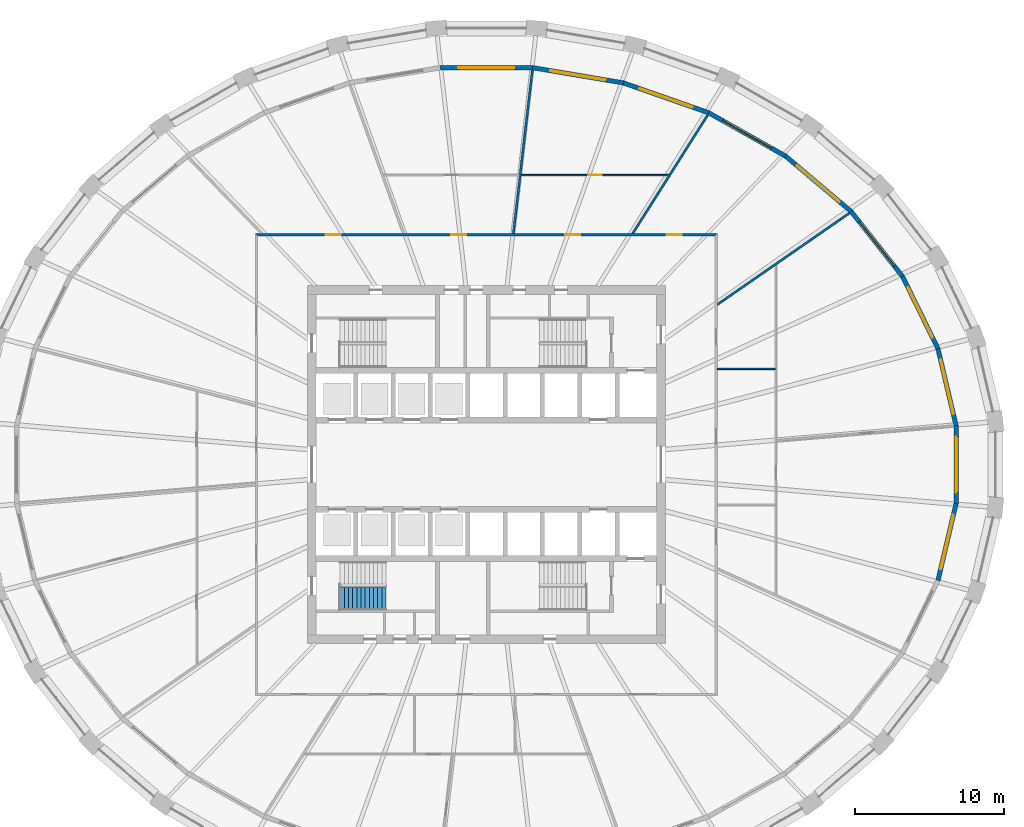
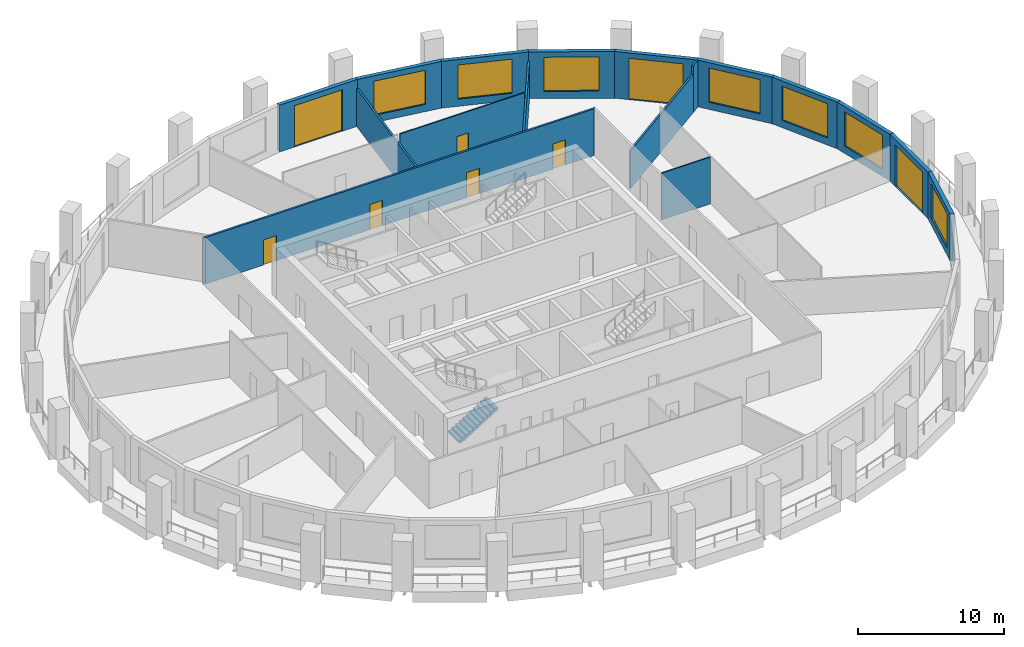
# One storey, part 7 of 11: 18 walls, 8 doors, 7 windows, 1 stair flight, 15 openings, 1 element without a shape of its own.
"""IFC4 building model written with IfcOpenShell, lengths in metres."""

from ifc_helpers import new_model, si_unit, direction, frame, frame_2d, origin, place, context, subcontext, project, spatial, polyline, rectangle, outline, extrude, material, layer, layer_set, type_object, element, fill, aggregate, save


model = new_model("IFC4")

# Units and contexts
model_context = context("Model", 3, precision=1e-05, world=origin(), true_north=direction((0.0, 1.0)))
body_context = subcontext(model_context, "Body", "Model", "MODEL_VIEW")
ifc_project = project(units=[si_unit("LENGTHUNIT", "METRE"), si_unit("AREAUNIT", "SQUARE_METRE"), si_unit("VOLUMEUNIT", "CUBIC_METRE"), si_unit("PLANEANGLEUNIT", "RADIAN"), si_unit("MASSUNIT", "GRAM", prefix="KILO")], contexts=[model_context])

# Site, building, storey
site_placement = place(None, origin())
site = spatial("IfcSite", under=ifc_project, at=site_placement, CompositionType="ELEMENT")
building_placement = place(site_placement, origin())
building = spatial("IfcBuilding", under=site, at=building_placement, Name="Halqa Exchange Tower", CompositionType="ELEMENT")
storey_placement = place(building_placement, frame((0.0, 0.0, 142.300048828125)))
storey = spatial("IfcBuildingStorey", under=building, at=storey_placement, Name="L32", CompositionType="ELEMENT", Elevation=142.300048828125)

# Wall, openings, doors
ifc_material_1 = material(Name="Fire-rated gypsum board")
ifc_layer_1 = layer(ifc_material_1, 0.14990234375)
ifc_layer_set_1 = layer_set([ifc_layer_1], Name="Fire-rated gypsum board")
wall_type_1 = type_object("IfcWallType", Name="Fire partition EI 60 150", PredefinedType="PARTITIONING", material=ifc_layer_set_1)
wall_1_placement = place(storey_placement, frame((-15.47509765625, 15.39990234375, 0.0), z_axis=(0.0, 0.0, 1.0), x_axis=(1.0, 0.0, 0.0)))
wall_1 = element("IfcWall", 1, at=wall_1_placement, inside=storey, type_object=wall_type_1, Name="L32-PWL-009", PredefinedType="PARTITIONING", context=body_context, shape_type="SweptSolid", body=[
    extrude(outline(polyline([(0.150146484375, -0.074951171875), (2.065673828125, -0.074951171875), (3.9814453125, -0.074951171875), (5.89697265625, -0.074951171875), (7.8125, -0.074951171875), (9.728271484375, -0.074951171875), (11.643798828125, -0.074951171875), (13.5595703125, -0.074951171875), (15.47509765625, -0.074951171875), (17.390625, -0.074951171875), (19.306396484375, -0.074951171875), (21.221923828125, -0.074951171875), (23.1376953125, -0.074951171875), (25.05322265625, -0.074951171875), (26.96875, -0.074951171875), (28.884521484375, -0.074951171875), (30.800048828125, -0.074951171875), (30.949951171875, 0.074951171875), (29.015625, 0.074951171875), (27.081298828125, 0.074951171875), (25.14697265625, 0.074951171875), (23.21240234375, 0.074951171875), (21.278076171875, 0.074951171875), (19.34375, 0.074951171875), (17.409423828125, 0.074951171875), (15.47509765625, 0.074951171875), (13.540771484375, 0.074951171875), (11.6064453125, 0.074951171875), (9.672119140625, 0.074951171875), (7.73779296875, 0.074951171875), (5.80322265625, 0.074951171875), (3.868896484375, 0.074951171875), (1.9345703125, 0.074951171875), (0.000244140625, 0.074951171875), (0.150146484375, -0.074951171875)])), origin(), (0.0, 0.0, 1.0), 3.89990234375),
])
opening_1_placement = place(wall_1_placement, frame((27.550048828125, 0.0, 0.0)))
opening_1 = element("IfcOpeningElement", 2, at=opening_1_placement, cuts=wall_1, Name="Opening 10-04", PredefinedType="OPENING", context=body_context, shape_type="SweptSolid", body=[
    extrude(rectangle(XDim=1.0, YDim=2.10009765625, at=frame_2d((0.5, 1.050048828125))), frame((0.0, 0.0869140625, 0.0), z_axis=(0.0, -1.0, 0.0), x_axis=(1.0, 0.0, 0.0)), (0.0, 0.0, 1.0), 0.173828125),
])
opening_2_placement = place(wall_1_placement, frame((20.75, 0.0, 0.0)))
opening_2 = element("IfcOpeningElement", 3, at=opening_2_placement, cuts=wall_1, Name="Opening 10-05", PredefinedType="OPENING", context=body_context, shape_type="SweptSolid", body=[
    extrude(rectangle(XDim=1.0, YDim=2.10009765625, at=frame_2d((0.5, 1.050048828125))), frame((0.0, 0.0869140625, 0.0), z_axis=(0.0, -1.0, 0.0), x_axis=(1.0, 0.0, 0.0)), (0.0, 0.0, 1.0), 0.173828125),
])
opening_3_placement = place(wall_1_placement, frame((13.110107421875, 0.0, 0.0)))
opening_3 = element("IfcOpeningElement", 4, at=opening_3_placement, cuts=wall_1, Name="Opening 10-06", PredefinedType="OPENING", context=body_context, shape_type="SweptSolid", body=[
    extrude(rectangle(XDim=1.0, YDim=2.10009765625, at=frame_2d((0.5, 1.050048828125))), frame((0.0, 0.0869140625, 0.0), z_axis=(0.0, -1.0, 0.0), x_axis=(1.0, 0.0, 0.0)), (0.0, 0.0, 1.0), 0.173828125),
])
opening_4_placement = place(wall_1_placement, frame((4.72509765625, 0.0, 0.0)))
opening_4 = element("IfcOpeningElement", 5, at=opening_4_placement, cuts=wall_1, Name="Opening 10-07", PredefinedType="OPENING", context=body_context, shape_type="SweptSolid", body=[
    extrude(rectangle(XDim=1.0, YDim=2.10009765625, at=frame_2d((0.5, 1.050048828125))), frame((0.0, 0.0869140625, 0.0), z_axis=(0.0, -1.0, 0.0), x_axis=(1.0, 0.0, 0.0)), (0.0, 0.0, 1.0), 0.173828125),
])
ifc_material_2 = material(Name="Steel fire door leaf", Category="steel")
door_type_1 = type_object("IfcDoorType", Name="Fire door FD30S 1000 x 2100", OperationType="SINGLE_SWING_LEFT", PredefinedType="DOOR", material=ifc_material_2)
door_1_placement = place(opening_1_placement, origin())
door_1 = element("IfcDoor", 6, at=door_1_placement, inside=storey, type_object=door_type_1, Name="L32-IDR-004", OperationType="SINGLE_SWING_RIGHT", OverallHeight=2.10009765625, OverallWidth=1.0, PredefinedType="DOOR", context=body_context, shape_type="SweptSolid", body=[
    extrude(rectangle(XDim=1.0, YDim=2.10009765625, at=frame_2d((0.5, 1.050048828125))), frame((0.0, 0.02490234375, 0.0), z_axis=(0.0, -1.0, 0.0), x_axis=(1.0, 0.0, 0.0)), (0.0, 0.0, 1.0), 0.050048828125),
])
fill(opening_1, door_1)
door_2_placement = place(opening_2_placement, origin())
door_2 = element("IfcDoor", 7, at=door_2_placement, inside=storey, type_object=door_type_1, Name="L32-IDR-005", OperationType="SINGLE_SWING_LEFT", OverallHeight=2.10009765625, OverallWidth=1.0, PredefinedType="DOOR", context=body_context, shape_type="SweptSolid", body=[
    extrude(rectangle(XDim=1.0, YDim=2.10009765625, at=frame_2d((0.5, 1.050048828125))), frame((0.0, 0.02490234375, 0.0), z_axis=(0.0, -1.0, 0.0), x_axis=(1.0, 0.0, 0.0)), (0.0, 0.0, 1.0), 0.050048828125),
])
fill(opening_2, door_2)
door_3_placement = place(opening_3_placement, origin())
door_3 = element("IfcDoor", 8, at=door_3_placement, inside=storey, type_object=door_type_1, Name="L32-IDR-006", OperationType="SINGLE_SWING_LEFT", OverallHeight=2.10009765625, OverallWidth=1.0, PredefinedType="DOOR", context=body_context, shape_type="SweptSolid", body=[
    extrude(rectangle(XDim=1.0, YDim=2.10009765625, at=frame_2d((0.5, 1.050048828125))), frame((0.0, 0.02490234375, 0.0), z_axis=(0.0, -1.0, 0.0), x_axis=(1.0, 0.0, 0.0)), (0.0, 0.0, 1.0), 0.050048828125),
])
fill(opening_3, door_3)
door_4_placement = place(opening_4_placement, origin())
door_4 = element("IfcDoor", 9, at=door_4_placement, inside=storey, type_object=door_type_1, Name="L32-IDR-007", OperationType="SINGLE_SWING_LEFT", OverallHeight=2.10009765625, OverallWidth=1.0, PredefinedType="DOOR", context=body_context, shape_type="SweptSolid", body=[
    extrude(rectangle(XDim=1.0, YDim=2.10009765625, at=frame_2d((0.5, 1.050048828125))), frame((0.0, 0.02490234375, 0.0), z_axis=(0.0, -1.0, 0.0), x_axis=(1.0, 0.0, 0.0)), (0.0, 0.0, 1.0), 0.050048828125),
])
fill(opening_4, door_4)

# Walls
wall_2_placement = place(storey_placement, frame((1.807861328125, 15.466552734375, 0.0), z_axis=(0.0, 0.0, 1.0), x_axis=(0.116696736795, 0.993167594931, 0.0)))
element("IfcWall", 10, at=wall_2_placement, inside=storey, type_object=wall_type_1, Name="L32-PWL-017", PredefinedType="PARTITIONING", context=body_context, shape_type="SweptSolid", body=[
    extrude(outline(polyline([(0.017333984375, -0.074951171875), (2.012451171875, -0.074951171875), (4.0078125, -0.074951171875), (4.018798828125, -0.07373046875), (4.018798828125, 0.074951171875), (3.998291015625, 0.074951171875), (3.902587890625, 0.063720703125), (3.9013671875, 0.074951171875), (1.95068359375, 0.074951171875), (0.0, 0.074951171875), (0.0, 0.072265625), (0.017333984375, -0.074951171875)])), origin(), (0.0, 0.0, 1.0), 3.14697265625),
])
wall_3_placement = place(storey_placement, frame((2.264892578125, 19.441650390625, 0.0), z_axis=(0.0, 0.0, 1.0), x_axis=(0.116372597522, 0.993205627524, 0.0)))
element("IfcWall", 11, at=wall_3_placement, inside=storey, type_object=wall_type_1, Name="L32-PWL-019", PredefinedType="PARTITIONING", context=body_context, shape_type="SweptSolid", body=[
    extrude(outline(polyline([(7.042724609375, -0.074951171875), (7.042724609375, 0.034912109375), (7.0380859375, 0.074951171875), (5.278564453125, 0.074951171875), (3.51904296875, 0.074951171875), (1.759521484375, 0.074951171875), (0.0, 0.074951171875), (0.0, 0.07177734375), (0.000732421875, 0.0654296875), (0.0, 0.0654296875), (0.0, 0.065185546875), (0.017822265625, 0.065185546875), (0.017822265625, -0.074951171875), (1.77392578125, -0.074951171875), (3.5302734375, -0.074951171875), (5.286376953125, -0.074951171875), (7.042724609375, -0.074951171875)])), origin(), (0.0, 0.0, 1.0), 3.14697265625),
])
wall_4_placement = place(storey_placement, frame((9.772216796875, 15.43505859375, 0.0), z_axis=(0.0, 0.0, 1.0), x_axis=(0.535018864906, 0.844840111616, 0.0)))
element("IfcWall", 12, at=wall_4_placement, inside=storey, type_object=wall_type_1, Name="L32-PWL-022", PredefinedType="PARTITIONING", context=body_context, shape_type="SweptSolid", body=[
    extrude(outline(polyline([(9.442626953125, 0.074951171875), (7.863037109375, 0.074951171875), (6.283447265625, 0.074951171875), (4.703857421875, 0.074951171875), (4.6201171875, 0.02197265625), (4.58642578125, 0.074951171875), (3.0576171875, 0.074951171875), (1.52880859375, 0.074951171875), (0.0, 0.074951171875), (0.0, 0.07470703125), (0.0947265625, -0.074951171875), (1.96435546875, -0.074951171875), (3.833984375, -0.074951171875), (5.703369140625, -0.074951171875), (7.572998046875, -0.074951171875), (9.442626953125, -0.074951171875), (9.442626953125, 0.074951171875)])), origin(), (0.0, 0.0, 1.0), 3.14697265625),
])
wall_5_placement = place(storey_placement, frame((15.4326171875, 10.6923828125, 0.0), z_axis=(0.0, 0.0, 1.0), x_axis=(0.822113566053, 0.569323532372, 0.0)))
element("IfcWall", 13, at=wall_5_placement, inside=storey, type_object=wall_type_1, Name="L32-PWL-027", PredefinedType="PARTITIONING", context=body_context, shape_type="SweptSolid", body=[
    extrude(outline(polyline([(0.0, -0.074951171875), (1.571044921875, -0.074951171875), (3.14208984375, -0.074951171875), (4.713134765625, -0.074951171875), (4.715087890625, -0.072021484375), (4.71923828125, -0.074951171875), (6.5, -0.074951171875), (8.28076171875, -0.074951171875), (10.0615234375, -0.074951171875), (10.0615234375, 0.074951171875), (8.06982421875, 0.074951171875), (6.078369140625, 0.074951171875), (4.086669921875, 0.074951171875), (2.094970703125, 0.074951171875), (0.103515625, 0.074951171875), (0.0, -0.074462890625), (0.0, -0.074951171875)])), origin(), (0.0, 0.0, 1.0), 3.14697265625),
])
wall_6_placement = place(storey_placement, frame((23.704345703125, 16.420654296875, 0.0), z_axis=(0.0, 0.0, 1.0), x_axis=(0.822076434515, 0.569377147253, 0.0)))
element("IfcWall", 14, at=wall_6_placement, inside=storey, type_object=wall_type_1, Name="L32-PWL-031", PredefinedType="PARTITIONING", context=body_context, shape_type="SweptSolid", body=[
    extrude(outline(polyline([(0.75927734375, -0.074951171875), (0.75927734375, -0.0693359375), (0.75439453125, 0.005615234375), (0.73583984375, 0.074951171875), (0.0, 0.074951171875), (0.0, -0.074951171875), (0.75927734375, -0.074951171875)])), origin(), (0.0, 0.0, 1.0), 3.89990234375),
])

# Wall, opening, door
ifc_material_3 = material(Name="Gypsum board")
ifc_layer_2 = layer(ifc_material_3, 0.10009765625)
ifc_layer_set_2 = layer_set([ifc_layer_2], Name="Gypsum board")
wall_type_2 = type_object("IfcWallType", Name="Partition 100 gypsum", PredefinedType="PARTITIONING", material=ifc_layer_set_2)
wall_7_placement = place(storey_placement, frame((2.340087890625, 19.39990234375, 0.0), z_axis=(0.0, 0.0, 1.0), x_axis=(1.0, 0.0, 0.0)))
wall_7 = element("IfcWall", 15, at=wall_7_placement, inside=storey, type_object=wall_type_2, Name="L32-PWL-020", PredefinedType="PARTITIONING", context=body_context, shape_type="SweptSolid", body=[
    extrude(outline(polyline([(0.0, -0.050048828125), (1.964599609375, -0.050048828125), (3.928955078125, -0.050048828125), (5.8935546875, -0.050048828125), (7.858154296875, -0.050048828125), (9.822509765625, -0.050048828125), (9.885498046875, 0.04931640625), (9.885498046875, 0.050048828125), (7.90966796875, 0.050048828125), (5.93359375, 0.050048828125), (3.957763671875, 0.050048828125), (1.981689453125, 0.050048828125), (0.005859375, 0.050048828125), (0.01123046875, 0.04931640625), (0.0, -0.0458984375), (0.0, -0.050048828125)])), origin(), (0.0, 0.0, 1.0), 3.89990234375),
])
opening_5_placement = place(wall_7_placement, frame((4.485107421875, 0.0, 0.0)))
opening_5 = element("IfcOpeningElement", 16, at=opening_5_placement, cuts=wall_7, Name="Opening 10-18", PredefinedType="OPENING", context=body_context, shape_type="SweptSolid", body=[
    extrude(rectangle(XDim=0.89990234375, YDim=2.10009765625, at=frame_2d((0.449951171875, 1.050048828125))), frame((0.0, 0.06201171875, 0.0), z_axis=(0.0, -1.0, 0.0), x_axis=(1.0, 0.0, 0.0)), (0.0, 0.0, 1.0), 0.1240234375),
])
ifc_material_4 = material(Name="Timber door leaf", Category="wood")
door_type_2 = type_object("IfcDoorType", Name="Door 900 x 2100", OperationType="SINGLE_SWING_LEFT", PredefinedType="DOOR", material=ifc_material_4)
door_5_placement = place(opening_5_placement, frame((0.89990234375, 0.0, 0.0), z_axis=(0.0, 0.0, 1.0), x_axis=(-1.0, 0.0, 0.0)))
door_5 = element("IfcDoor", 17, at=door_5_placement, inside=storey, type_object=door_type_2, Name="L32-IDR-018", OperationType="SINGLE_SWING_RIGHT", OverallHeight=2.10009765625, OverallWidth=0.89990234375, PredefinedType="DOOR", context=body_context, shape_type="SweptSolid", body=[
    extrude(rectangle(XDim=0.89990234375, YDim=2.10009765625, at=frame_2d((0.449951171875, 1.050048828125))), frame((0.0, 0.02490234375, 0.0), z_axis=(0.0, -1.0, 0.0), x_axis=(1.0, 0.0, 0.0)), (0.0, 0.0, 1.0), 0.050048828125),
])
fill(opening_5, door_5)

# Wall
wall_8_placement = place(storey_placement, frame((15.47509765625, 6.419921875, 0.0), z_axis=(0.0, 0.0, 1.0), x_axis=(1.0, 0.0, 0.0)))
element("IfcWall", 18, at=wall_8_placement, inside=storey, type_object=wall_type_2, Name="L32-PWL-026", PredefinedType="PARTITIONING", context=body_context, shape_type="SweptSolid", body=[
    extrude(rectangle(XDim=3.875, YDim=0.10009765625, at=frame_2d((1.9375, 0.0))), origin(), (0.0, 0.0, 1.0), 3.89990234375),
])

# Wall, opening, window
ifc_material_5 = material(Name="Limestone cladding", Category="masonry")
ifc_layer_3 = layer(ifc_material_5, 0.0400390625)
ifc_material_6 = material(Name="Ventilated cavity")
ifc_layer_4 = layer(ifc_material_6, 0.030029296875, ventilated=True)
ifc_material_7 = material(Name="Mineral wool insulation")
ifc_layer_5 = layer(ifc_material_7, 0.10009765625)
ifc_material_8 = material(Name="Concrete C30/37", Category="concrete")
ifc_layer_6 = layer(ifc_material_8, 0.10009765625)
ifc_material_9 = material(Name="Internal plaster")
ifc_layer_7 = layer(ifc_material_9, 0.030029296875)
ifc_layer_set_3 = layer_set([ifc_layer_3, ifc_layer_4, ifc_layer_5, ifc_layer_6, ifc_layer_7], Name="Stone-faced insulated wall 300")
wall_type_3 = type_object("IfcWallType", Name="Stone-faced insulated wall 300", PredefinedType="STANDARD", material=ifc_layer_set_3)
wall_9_placement = place(storey_placement, frame((31.461669921875, 2.62158203125, 0.0), z_axis=(0.0, 0.0, 1.0), x_axis=(-0.229289208312, 0.973358340464, 0.0)))
wall_9 = element("IfcWall", 19, at=wall_9_placement, inside=storey, type_object=wall_type_3, Name="Glass-line wall 1", PredefinedType="STANDARD", context=body_context, shape_type="SweptSolid", body=[
    extrude(outline(polyline([(-0.017333984375, -0.14990234375), (5.299072265625, -0.14990234375), (5.265380859375, 0.14990234375), (0.017333984375, 0.14990234375), (-0.017333984375, -0.14990234375)])), origin(), (0.0, 0.0, 1.0), 3.89990234375),
])
opening_6_placement = place(wall_9_placement, frame((0.76611328125, 0.0, 0.60009765625)))
opening_6 = element("IfcOpeningElement", 20, at=opening_6_placement, cuts=wall_9, Name="Opening W-F2-01", PredefinedType="OPENING", context=body_context, shape_type="SweptSolid", body=[
    extrude(rectangle(XDim=3.75, YDim=2.85009765625, at=frame_2d((1.875, 1.425048828125))), frame((0.0, 0.162109375, 0.0), z_axis=(0.0, -1.0, 0.0), x_axis=(1.0, 0.0, 0.0)), (0.0, 0.0, 1.0), 0.323974609375),
])
ifc_material_10 = material(Name="Clear low-emissivity glass in aluminium frame", Category="aluminium")
window_type = type_object("IfcWindowType", Name="Fixed clear glazed window 3750 x 2850", PartitioningType="TRIPLE_PANEL_VERTICAL", PredefinedType="WINDOW", material=ifc_material_10)
window_1_placement = place(opening_6_placement, origin())
window_1 = element("IfcWindow", 21, at=window_1_placement, inside=storey, type_object=window_type, Name="Window 2", OverallHeight=2.85009765625, OverallWidth=3.75, PartitioningType="TRIPLE_PANEL_VERTICAL", PredefinedType="WINDOW", context=body_context, shape_type="SweptSolid", body=[
    extrude(rectangle(XDim=3.75, YDim=2.85009765625, at=frame_2d((1.875, 1.425048828125))), frame((0.0, 0.030029296875, 0.0), z_axis=(0.0, -1.0, 0.0), x_axis=(1.0, 0.0, 0.0)), (0.0, 0.0, 1.0), 0.06005859375),
])
fill(opening_6, window_1)

wall_10_placement = place(storey_placement, frame((30.25048828125, 7.76318359375, 0.0), z_axis=(0.0, 0.0, 1.0), x_axis=(-0.440373354088, 0.897814740918, 0.0)))
wall_10 = element("IfcWall", 22, at=wall_10_placement, inside=storey, type_object=wall_type_3, Name="Glass-line wall 2", PredefinedType="STANDARD", context=body_context, shape_type="SweptSolid", body=[
    extrude(outline(polyline([(-0.016845703125, -0.14990234375), (5.40869140625, -0.14990234375), (5.37646484375, 0.14990234375), (0.016845703125, 0.14990234375), (-0.016845703125, -0.14990234375)])), origin(), (0.0, 0.0, 1.0), 3.89990234375),
])
opening_7_placement = place(wall_10_placement, frame((0.8212890625, 0.0, 0.60009765625)))
opening_7 = element("IfcOpeningElement", 23, at=opening_7_placement, cuts=wall_10, Name="Opening W-F2-02", PredefinedType="OPENING", context=body_context, shape_type="SweptSolid", body=[
    extrude(rectangle(XDim=3.75, YDim=2.85009765625, at=frame_2d((1.875, 1.425048828125))), frame((0.0, 0.162109375, 0.0), z_axis=(0.0, -1.0, 0.0), x_axis=(1.0, 0.0, 0.0)), (0.0, 0.0, 1.0), 0.323974609375),
])
window_2_placement = place(opening_7_placement, origin())
window_2 = element("IfcWindow", 24, at=window_2_placement, inside=storey, type_object=window_type, Name="Window 2", OverallHeight=2.85009765625, OverallWidth=3.75, PartitioningType="TRIPLE_PANEL_VERTICAL", PredefinedType="WINDOW", context=body_context, shape_type="SweptSolid", body=[
    extrude(rectangle(XDim=3.75, YDim=2.85009765625, at=frame_2d((1.875, 1.425048828125))), frame((0.0, 0.030029296875, 0.0), z_axis=(0.0, -1.0, 0.0), x_axis=(1.0, 0.0, 0.0)), (0.0, 0.0, 1.0), 0.06005859375),
])
fill(opening_7, window_2)

wall_11_placement = place(storey_placement, frame((27.875732421875, 12.604736328125, 0.0), z_axis=(0.0, 0.0, 1.0), x_axis=(-0.620520511988, 0.784190215574, 0.0)))
wall_11 = element("IfcWall", 25, at=wall_11_placement, inside=storey, type_object=wall_type_3, Name="Glass-line wall 3", PredefinedType="STANDARD", context=body_context, shape_type="SweptSolid", body=[
    extrude(outline(polyline([(-0.01611328125, -0.14990234375), (5.568603515625, -0.14990234375), (5.538330078125, 0.14990234375), (0.01611328125, 0.14990234375), (-0.01611328125, -0.14990234375)])), origin(), (0.0, 0.0, 1.0), 3.89990234375),
])
opening_8_placement = place(wall_11_placement, frame((0.901611328125, 0.0, 0.60009765625)))
opening_8 = element("IfcOpeningElement", 26, at=opening_8_placement, cuts=wall_11, Name="Opening W-F2-03", PredefinedType="OPENING", context=body_context, shape_type="SweptSolid", body=[
    extrude(rectangle(XDim=3.75, YDim=2.85009765625, at=frame_2d((1.875, 1.425048828125))), frame((0.0, 0.162109375, 0.0), z_axis=(0.0, -1.0, 0.0), x_axis=(1.0, 0.0, 0.0)), (0.0, 0.0, 1.0), 0.323974609375),
])
window_3_placement = place(opening_8_placement, origin())
window_3 = element("IfcWindow", 27, at=window_3_placement, inside=storey, type_object=window_type, Name="Window 2", OverallHeight=2.85009765625, OverallWidth=3.75, PartitioningType="TRIPLE_PANEL_VERTICAL", PredefinedType="WINDOW", context=body_context, shape_type="SweptSolid", body=[
    extrude(rectangle(XDim=3.75, YDim=2.85009765625, at=frame_2d((1.875, 1.425048828125))), frame((0.0, 0.030029296875, 0.0), z_axis=(0.0, -1.0, 0.0), x_axis=(1.0, 0.0, 0.0)), (0.0, 0.0, 1.0), 0.06005859375),
])
fill(opening_8, window_3)

# Wall, opening, door
wall_12_placement = place(storey_placement, frame((24.4296875, 16.959716796875, 0.0), z_axis=(0.0, 0.0, 1.0), x_axis=(-0.764047627809, 0.64515984255, 0.0)))
wall_12 = element("IfcWall", 28, at=wall_12_placement, inside=storey, type_object=wall_type_3, Name="Glass-line wall 4", PredefinedType="STANDARD", context=body_context, shape_type="SweptSolid", body=[
    extrude(outline(polyline([(-0.01513671875, -0.14990234375), (5.751708984375, -0.14990234375), (5.723388671875, 0.14990234375), (0.01513671875, 0.14990234375), (-0.01513671875, -0.14990234375)])), origin(), (0.0, 0.0, 1.0), 3.89990234375),
])
opening_9_placement = place(wall_12_placement, frame((0.99365234375, 0.0, 0.0)))
opening_9 = element("IfcOpeningElement", 29, at=opening_9_placement, cuts=wall_12, Name="Opening LG-F2-01", PredefinedType="OPENING", context=body_context, shape_type="SweptSolid", body=[
    extrude(rectangle(XDim=3.75, YDim=3.449951171875, at=frame_2d((1.875, 1.72509765625))), frame((0.0, 0.162109375, 0.0), z_axis=(0.0, -1.0, 0.0), x_axis=(1.0, 0.0, 0.0)), (0.0, 0.0, 1.0), 0.323974609375),
])
door_type_3 = type_object("IfcDoorType", Name="Glazed sliding loggia door 3750 x 3450", OperationType="DOUBLE_DOOR_SLIDING", PredefinedType="DOOR", material=ifc_material_10)
door_6_placement = place(opening_9_placement, origin())
door_6 = element("IfcDoor", 30, at=door_6_placement, inside=storey, type_object=door_type_3, Name="Loggia door 1", OperationType="DOUBLE_DOOR_SLIDING", OverallHeight=3.449951171875, OverallWidth=3.75, PredefinedType="DOOR", context=body_context, shape_type="SweptSolid", body=[
    extrude(rectangle(XDim=3.75, YDim=3.449951171875, at=frame_2d((1.875, 1.72509765625))), frame((0.0, 0.02490234375, 0.0), z_axis=(0.0, -1.0, 0.0), x_axis=(1.0, 0.0, 0.0)), (0.0, 0.0, 1.0), 0.050048828125),
])
fill(opening_9, door_6)

# Wall, opening, window
wall_13_placement = place(storey_placement, frame((20.0458984375, 20.661376953125, 0.0), z_axis=(0.0, 0.0, 1.0), x_axis=(-0.870912346166, 0.491438384028, 0.0)))
wall_13 = element("IfcWall", 31, at=wall_13_placement, inside=storey, type_object=wall_type_3, Name="Glass-line wall 5", PredefinedType="STANDARD", context=body_context, shape_type="SweptSolid", body=[
    extrude(outline(polyline([(-0.01416015625, -0.14990234375), (5.92919921875, -0.14990234375), (5.90234375, 0.14990234375), (0.01416015625, 0.14990234375), (-0.01416015625, -0.14990234375)])), origin(), (0.0, 0.0, 1.0), 3.89990234375),
])
opening_10_placement = place(wall_13_placement, frame((1.0830078125, 0.0, 0.60009765625)))
opening_10 = element("IfcOpeningElement", 32, at=opening_10_placement, cuts=wall_13, Name="Opening W-F2-05", PredefinedType="OPENING", context=body_context, shape_type="SweptSolid", body=[
    extrude(rectangle(XDim=3.75, YDim=2.85009765625, at=frame_2d((1.875, 1.425048828125))), frame((0.0, 0.162109375, 0.0), z_axis=(0.0, -1.0, 0.0), x_axis=(1.0, 0.0, 0.0)), (0.0, 0.0, 1.0), 0.323974609375),
])
window_4_placement = place(opening_10_placement, origin())
window_4 = element("IfcWindow", 33, at=window_4_placement, inside=storey, type_object=window_type, Name="Window 2", OverallHeight=2.85009765625, OverallWidth=3.75, PartitioningType="TRIPLE_PANEL_VERTICAL", PredefinedType="WINDOW", context=body_context, shape_type="SweptSolid", body=[
    extrude(rectangle(XDim=3.75, YDim=2.85009765625, at=frame_2d((1.875, 1.425048828125))), frame((0.0, 0.030029296875, 0.0), z_axis=(0.0, -1.0, 0.0), x_axis=(1.0, 0.0, 0.0)), (0.0, 0.0, 1.0), 0.06005859375),
])
fill(opening_10, window_4)

wall_14_placement = place(storey_placement, frame((14.893798828125, 23.568603515625, 0.0), z_axis=(0.0, 0.0, 1.0), x_axis=(-0.943925510212, 0.330158494016, 0.0)))
wall_14 = element("IfcWall", 34, at=wall_14_placement, inside=storey, type_object=wall_type_3, Name="Glass-line wall 6", PredefinedType="STANDARD", context=body_context, shape_type="SweptSolid", body=[
    extrude(outline(polyline([(-0.013427734375, -0.14990234375), (6.07568359375, -0.14990234375), (6.05029296875, 0.14990234375), (0.013427734375, 0.14990234375), (-0.013427734375, -0.14990234375)])), origin(), (0.0, 0.0, 1.0), 3.89990234375),
])
opening_11_placement = place(wall_14_placement, frame((1.156494140625, 0.0, 0.60009765625)))
opening_11 = element("IfcOpeningElement", 35, at=opening_11_placement, cuts=wall_14, Name="Opening W-F2-06", PredefinedType="OPENING", context=body_context, shape_type="SweptSolid", body=[
    extrude(rectangle(XDim=3.75, YDim=2.85009765625, at=frame_2d((1.875, 1.425048828125))), frame((0.0, 0.162109375, 0.0), z_axis=(0.0, -1.0, 0.0), x_axis=(1.0, 0.0, 0.0)), (0.0, 0.0, 1.0), 0.323974609375),
])
window_5_placement = place(opening_11_placement, origin())
window_5 = element("IfcWindow", 36, at=window_5_placement, inside=storey, type_object=window_type, Name="Window 2", OverallHeight=2.85009765625, OverallWidth=3.75, PartitioningType="TRIPLE_PANEL_VERTICAL", PredefinedType="WINDOW", context=body_context, shape_type="SweptSolid", body=[
    extrude(rectangle(XDim=3.75, YDim=2.85009765625, at=frame_2d((1.875, 1.425048828125))), frame((0.0, 0.030029296875, 0.0), z_axis=(0.0, -1.0, 0.0), x_axis=(1.0, 0.0, 0.0)), (0.0, 0.0, 1.0), 0.06005859375),
])
fill(opening_11, window_5)

wall_15_placement = place(storey_placement, frame((9.1708984375, 25.5703125, 0.0), z_axis=(0.0, 0.0, 1.0), x_axis=(-0.986186393203, 0.165639360845, 0.0)))
wall_15 = element("IfcWall", 37, at=wall_15_placement, inside=storey, type_object=wall_type_3, Name="Glass-line wall 7", PredefinedType="STANDARD", context=body_context, shape_type="SweptSolid", body=[
    extrude(outline(polyline([(-0.0126953125, -0.14990234375), (6.172119140625, -0.14990234375), (6.147216796875, 0.14990234375), (0.0126953125, 0.14990234375), (-0.0126953125, -0.14990234375)])), origin(), (0.0, 0.0, 1.0), 3.89990234375),
])
opening_12_placement = place(wall_15_placement, frame((1.20458984375, 0.0, 0.60009765625)))
opening_12 = element("IfcOpeningElement", 38, at=opening_12_placement, cuts=wall_15, Name="Opening W-F2-07", PredefinedType="OPENING", context=body_context, shape_type="SweptSolid", body=[
    extrude(rectangle(XDim=3.75, YDim=2.85009765625, at=frame_2d((1.875, 1.425048828125))), frame((0.0, 0.162109375, 0.0), z_axis=(0.0, -1.0, 0.0), x_axis=(1.0, 0.0, 0.0)), (0.0, 0.0, 1.0), 0.323974609375),
])
window_6_placement = place(opening_12_placement, origin())
window_6 = element("IfcWindow", 39, at=window_6_placement, inside=storey, type_object=window_type, Name="Window 2", OverallHeight=2.85009765625, OverallWidth=3.75, PartitioningType="TRIPLE_PANEL_VERTICAL", PredefinedType="WINDOW", context=body_context, shape_type="SweptSolid", body=[
    extrude(rectangle(XDim=3.75, YDim=2.85009765625, at=frame_2d((1.875, 1.425048828125))), frame((0.0, 0.030029296875, 0.0), z_axis=(0.0, -1.0, 0.0), x_axis=(1.0, 0.0, 0.0)), (0.0, 0.0, 1.0), 0.06005859375),
])
fill(opening_12, window_6)

# Wall, opening, door
wall_16_placement = place(storey_placement, frame((3.096435546875, 26.590576171875, 0.0), z_axis=(0.0, 0.0, 1.0), x_axis=(-1.0, 0.0, 0.0)))
wall_16 = element("IfcWall", 40, at=wall_16_placement, inside=storey, type_object=wall_type_3, Name="Glass-line wall 8", PredefinedType="STANDARD", context=body_context, shape_type="SweptSolid", body=[
    extrude(outline(polyline([(-0.012451171875, -0.14990234375), (6.205322265625, -0.14990234375), (6.180419921875, 0.14990234375), (0.012451171875, 0.14990234375), (-0.012451171875, -0.14990234375)])), origin(), (0.0, 0.0, 1.0), 3.89990234375),
])
opening_13_placement = place(wall_16_placement, frame((1.221435546875, 0.0, 0.0)))
opening_13 = element("IfcOpeningElement", 41, at=opening_13_placement, cuts=wall_16, Name="Opening LG-F2-02", PredefinedType="OPENING", context=body_context, shape_type="SweptSolid", body=[
    extrude(rectangle(XDim=3.75, YDim=3.449951171875, at=frame_2d((1.875, 1.72509765625))), frame((0.0, 0.162109375, 0.0), z_axis=(0.0, -1.0, 0.0), x_axis=(1.0, 0.0, 0.0)), (0.0, 0.0, 1.0), 0.323974609375),
])
door_7_placement = place(opening_13_placement, origin())
door_7 = element("IfcDoor", 42, at=door_7_placement, inside=storey, type_object=door_type_3, Name="Loggia door 2", OperationType="DOUBLE_DOOR_SLIDING", OverallHeight=3.449951171875, OverallWidth=3.75, PredefinedType="DOOR", context=body_context, shape_type="SweptSolid", body=[
    extrude(rectangle(XDim=3.75, YDim=3.449951171875, at=frame_2d((1.875, 1.72509765625))), frame((0.0, 0.02490234375, 0.0), z_axis=(0.0, -1.0, 0.0), x_axis=(1.0, 0.0, 0.0)), (0.0, 0.0, 1.0), 0.050048828125),
])
fill(opening_13, door_7)

# Wall, opening, window
wall_17_placement = place(storey_placement, frame((30.25048828125, -7.76318359375, 0.0), z_axis=(0.0, 0.0, 1.0), x_axis=(0.229289208312, 0.973358340464, 0.0)))
wall_17 = element("IfcWall", 43, at=wall_17_placement, inside=storey, type_object=wall_type_3, Name="Glass-line wall 31", PredefinedType="STANDARD", context=body_context, shape_type="SweptSolid", body=[
    extrude(outline(polyline([(-0.016845703125, -0.14990234375), (5.299560546875, -0.14990234375), (5.264892578125, 0.14990234375), (0.016845703125, 0.14990234375), (-0.016845703125, -0.14990234375)])), origin(), (0.0, 0.0, 1.0), 3.89990234375),
])
opening_14_placement = place(wall_17_placement, frame((0.76611328125, 0.0, 0.60009765625)))
opening_14 = element("IfcOpeningElement", 44, at=opening_14_placement, cuts=wall_17, Name="Opening W-F2-31", PredefinedType="OPENING", context=body_context, shape_type="SweptSolid", body=[
    extrude(rectangle(XDim=3.75, YDim=2.85009765625, at=frame_2d((1.875, 1.425048828125))), frame((0.0, 0.162109375, 0.0), z_axis=(0.0, -1.0, 0.0), x_axis=(1.0, 0.0, 0.0)), (0.0, 0.0, 1.0), 0.323974609375),
])
window_7_placement = place(opening_14_placement, origin())
window_7 = element("IfcWindow", 45, at=window_7_placement, inside=storey, type_object=window_type, Name="Window 2", OverallHeight=2.85009765625, OverallWidth=3.75, PartitioningType="TRIPLE_PANEL_VERTICAL", PredefinedType="WINDOW", context=body_context, shape_type="SweptSolid", body=[
    extrude(rectangle(XDim=3.75, YDim=2.85009765625, at=frame_2d((1.875, 1.425048828125))), frame((0.0, 0.030029296875, 0.0), z_axis=(0.0, -1.0, 0.0), x_axis=(1.0, 0.0, 0.0)), (0.0, 0.0, 1.0), 0.06005859375),
])
fill(opening_14, window_7)

# Wall, opening, door
wall_18_placement = place(storey_placement, frame((31.461669921875, -2.62158203125, 0.0), z_axis=(0.0, 0.0, 1.0), x_axis=(0.0, 1.0, 0.0)))
wall_18 = element("IfcWall", 46, at=wall_18_placement, inside=storey, type_object=wall_type_3, Name="Glass-line wall 32", PredefinedType="STANDARD", context=body_context, shape_type="SweptSolid", body=[
    extrude(outline(polyline([(-0.017333984375, -0.14990234375), (5.260498046875, -0.14990234375), (5.225830078125, 0.14990234375), (0.017333984375, 0.14990234375), (-0.017333984375, -0.14990234375)])), origin(), (0.0, 0.0, 1.0), 3.89990234375),
])
opening_15_placement = place(wall_18_placement, frame((0.74658203125, 0.0, 0.0)))
opening_15 = element("IfcOpeningElement", 47, at=opening_15_placement, cuts=wall_18, Name="Opening LG-F2-08", PredefinedType="OPENING", context=body_context, shape_type="SweptSolid", body=[
    extrude(rectangle(XDim=3.75, YDim=3.449951171875, at=frame_2d((1.875, 1.72509765625))), frame((0.0, 0.162109375, 0.0), z_axis=(0.0, -1.0, 0.0), x_axis=(1.0, 0.0, 0.0)), (0.0, 0.0, 1.0), 0.323974609375),
])
door_8_placement = place(opening_15_placement, origin())
door_8 = element("IfcDoor", 48, at=door_8_placement, inside=storey, type_object=door_type_3, Name="Loggia door 8", OperationType="DOUBLE_DOOR_SLIDING", OverallHeight=3.449951171875, OverallWidth=3.75, PredefinedType="DOOR", context=body_context, shape_type="SweptSolid", body=[
    extrude(rectangle(XDim=3.75, YDim=3.449951171875, at=frame_2d((1.875, 1.72509765625))), frame((0.0, 0.02490234375, 0.0), z_axis=(0.0, -1.0, 0.0), x_axis=(1.0, 0.0, 0.0)), (0.0, 0.0, 1.0), 0.050048828125),
])
fill(opening_15, door_8)

# Stair, stair flight
stair_type = type_object("IfcStairType", Name="Exit stair 1500 wide", PredefinedType="HALF_TURN_STAIR", material=ifc_material_8)
stair_placement = place(storey_placement, origin())
stair = element("IfcStair", 49, at=stair_placement, inside=storey, type_object=stair_type, Name="Exit stair ST3", PredefinedType="HALF_TURN_STAIR")
stair_flight_type = type_object("IfcStairFlightType", Name="Stair flight 1500 wide", PredefinedType="STRAIGHT", material=ifc_material_8)
stair_flight_placement = place(storey_placement, frame((-9.800048828125, -9.0, 0.0), z_axis=(0.0, 0.0, 1.0), x_axis=(1.0, 0.0, 0.0)))
stair_flight = element("IfcStairFlight", 50, at=stair_flight_placement, type_object=stair_flight_type, Name="ST3 flight 1", NumberOfRisers=12, NumberOfTreads=11, PredefinedType="STRAIGHT", RiserHeight=0.175, TreadLength=0.28, context=body_context, shape_type="SweptSolid", body=[
    extrude(outline(polyline([(0.0, 0.0), (0.0, 0.175048828125), (0.280029296875, 0.175048828125), (0.280029296875, 0.35009765625), (0.56005859375, 0.35009765625), (0.56005859375, 0.52490234375), (0.840087890625, 0.52490234375), (0.840087890625, 0.699951171875), (1.1201171875, 0.699951171875), (1.1201171875, 0.875), (1.39990234375, 0.875), (1.39990234375, 1.050048828125), (1.679931640625, 1.050048828125), (1.679931640625, 1.22509765625), (1.9599609375, 1.22509765625), (1.9599609375, 1.39990234375), (2.239990234375, 1.39990234375), (2.239990234375, 1.574951171875), (2.52001953125, 1.574951171875), (2.52001953125, 1.75), (2.800048828125, 1.75), (2.800048828125, 1.925048828125), (3.080078125, 1.925048828125), (3.080078125, 2.10009765625), (3.080078125, 1.748291015625), (0.28271484375, 0.0), (0.0, 0.0)])), frame((0.0, 0.75, 0.0), z_axis=(0.0, -1.0, 0.0), x_axis=(1.0, 0.0, 0.0)), (0.0, 0.0, 1.0), 1.5),
])
aggregate(stair, [stair_flight])

save(model, "model.ifc")
